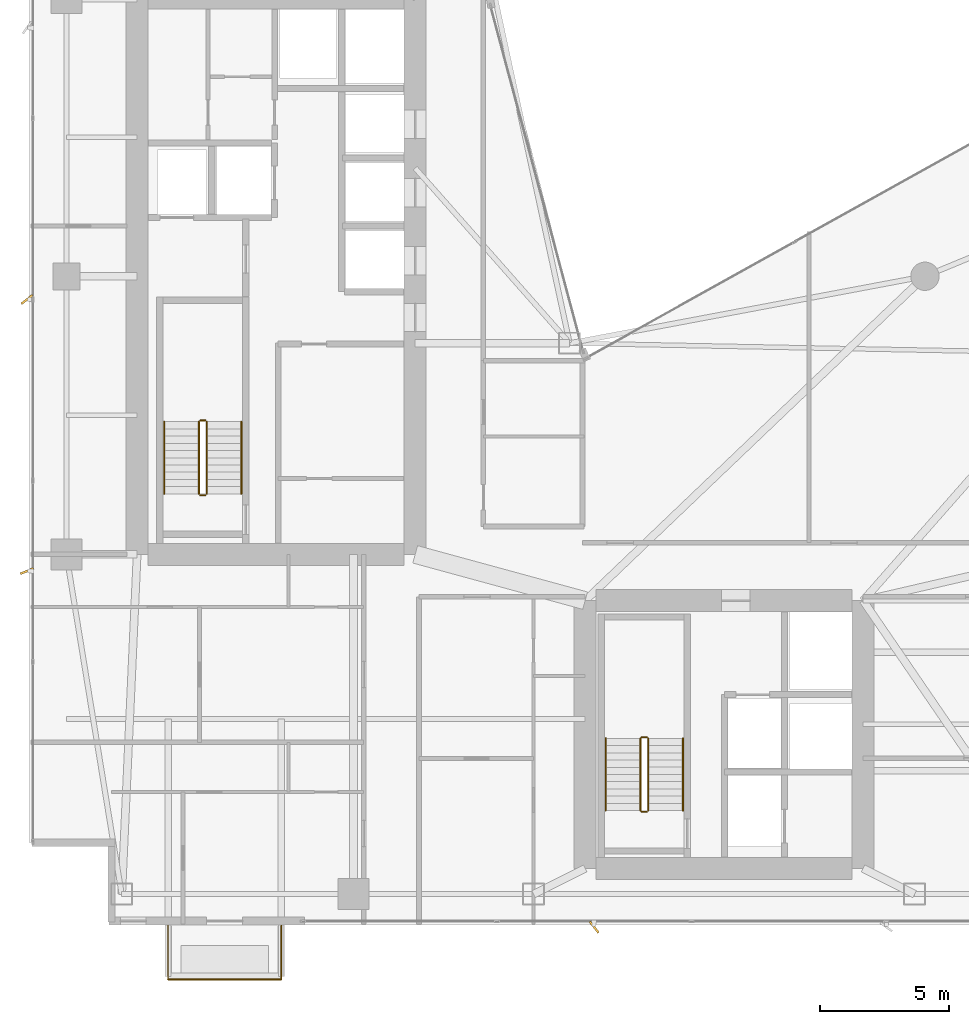
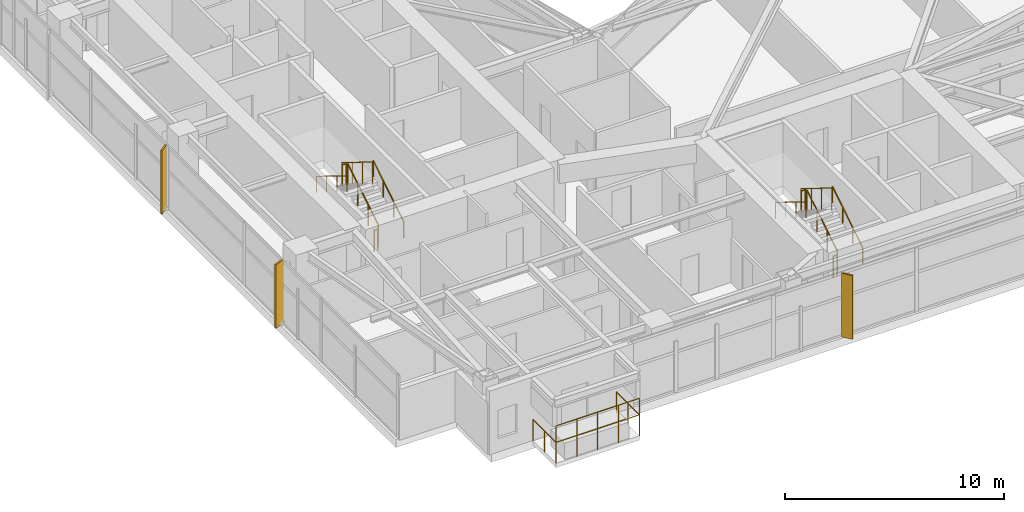
# One storey, part 27 of 28: 14 railings, 3 shading devices.
"""IFC4 building model written with IfcOpenShell, lengths in metres."""

from ifc_helpers import new_model, si_unit, direction, frame, origin, origin_2d, place, context, subcontext, project, spatial, rectangle, circle, extrude, material, type_object, element, save


model = new_model("IFC4")

# Units and contexts
model_context = context("Model", 3, precision=1e-05, world=origin(), true_north=direction((0.0, 1.0)))
body_context = subcontext(model_context, "Body", "Model", "MODEL_VIEW")
ifc_project = project(units=[si_unit("LENGTHUNIT", "METRE"), si_unit("AREAUNIT", "SQUARE_METRE"), si_unit("VOLUMEUNIT", "CUBIC_METRE"), si_unit("PLANEANGLEUNIT", "RADIAN"), si_unit("MASSUNIT", "GRAM", prefix="KILO")], contexts=[model_context])

# Site, building, storey
site_placement = place(None, origin())
site = spatial("IfcSite", under=ifc_project, at=site_placement, CompositionType="ELEMENT")
building_placement = place(site_placement, origin())
building = spatial("IfcBuilding", under=site, at=building_placement, Name="Calvorn Quay Hotel", CompositionType="ELEMENT")
storey_placement = place(building_placement, frame((0.0, 0.0, 97.39990234375)))
storey = spatial("IfcBuildingStorey", under=building, at=storey_placement, Name="L23", CompositionType="ELEMENT", Elevation=97.39990234375)

# Railings
ifc_material_1 = material(Name="Pale Anodised Aluminium and Laminated Glass", Category="aluminium")
railing_type_1 = type_object("IfcRailingType", Name="RLG-BALUSTRADE-1200", PredefinedType="BALUSTRADE", material=ifc_material_1)
railing_1_placement = place(storey_placement, frame((5.39990234375, 2.389892578125, 0.0)))
element("IfcRailing", 1, at=railing_1_placement, inside=storey, type_object=railing_type_1, Name="Tree Balcony Perimeter Balustrade L23-BALC-S", PredefinedType="BALUSTRADE", context=body_context, shape_type="SweptSolid", body=[
    extrude(circle(Radius=0.02392578125, at=origin_2d()), frame((0.0, 0.0, 1.17578125), z_axis=(0.0, -1.0, 0.0), x_axis=(1.0, 0.0, 0.0)), (0.0, 0.0, 1.0), 2.099853515625),
    extrude(circle(Radius=0.02392578125, at=origin_2d()), frame((0.0, -2.099853515625, 1.17578125), z_axis=(1.0, 0.0, 0.0), x_axis=(0.0, 1.0, 0.0)), (0.0, 0.0, 1.0), 4.400146484375),
    extrude(circle(Radius=0.02392578125, at=origin_2d()), frame((4.400146484375, -2.099853515625, 1.17578125), z_axis=(0.0, 1.0, 0.0), x_axis=(-1.0, 0.0, 0.0)), (0.0, 0.0, 1.0), 2.099853515625),
    extrude(circle(Radius=0.02099609375, at=origin_2d()), origin(), (0.0, 0.0, 1.0), 1.15185546875),
    extrude(circle(Radius=0.02099609375, at=origin_2d()), frame((0.0, -1.0498046875, 0.0)), (0.0, 0.0, 1.0), 1.15185546875),
    extrude(circle(Radius=0.02099609375, at=origin_2d()), frame((0.0, -2.099853515625, 0.0)), (0.0, 0.0, 1.0), 1.15185546875),
    extrude(circle(Radius=0.02099609375, at=origin_2d()), frame((1.10009765625, -2.099853515625, 0.0)), (0.0, 0.0, 1.0), 1.15185546875),
    extrude(circle(Radius=0.02099609375, at=origin_2d()), frame((2.2001953125, -2.099853515625, 0.0)), (0.0, 0.0, 1.0), 1.15185546875),
    extrude(circle(Radius=0.02099609375, at=origin_2d()), frame((3.300048828125, -2.099853515625, 0.0)), (0.0, 0.0, 1.0), 1.15185546875),
    extrude(circle(Radius=0.02099609375, at=origin_2d()), frame((4.400146484375, -2.099853515625, 0.0)), (0.0, 0.0, 1.0), 1.15185546875),
    extrude(circle(Radius=0.02099609375, at=origin_2d()), frame((4.400146484375, -1.0498046875, 0.0)), (0.0, 0.0, 1.0), 1.15185546875),
    extrude(circle(Radius=0.02099609375, at=origin_2d()), frame((4.400146484375, 0.0, 0.0)), (0.0, 0.0, 1.0), 1.15185546875),
])
railing_2_placement = place(storey_placement, frame((5.39990234375, 0.2900390625, 0.900146484375)))
element("IfcRailing", 2, at=railing_2_placement, inside=storey, type_object=railing_type_1, Name="Planter Kerb High Safety Screen L23-BALC-S", PredefinedType="BALUSTRADE", context=body_context, shape_type="SweptSolid", body=[
    extrude(circle(Radius=0.02392578125, at=origin_2d()), frame((0.0, 0.0, 1.19580078125), z_axis=(1.0, 0.0, 0.0), x_axis=(0.0, 1.0, 0.0)), (0.0, 0.0, 1.0), 4.400146484375),
    extrude(circle(Radius=0.02099609375, at=origin_2d()), origin(), (0.0, 0.0, 1.0), 1.171875),
    extrude(circle(Radius=0.02099609375, at=origin_2d()), frame((1.10009765625, 0.0, 0.0)), (0.0, 0.0, 1.0), 1.171875),
    extrude(circle(Radius=0.02099609375, at=origin_2d()), frame((2.2001953125, 0.0, 0.0)), (0.0, 0.0, 1.0), 1.171875),
    extrude(circle(Radius=0.02099609375, at=origin_2d()), frame((3.300048828125, 0.0, 0.0)), (0.0, 0.0, 1.0), 1.171875),
    extrude(circle(Radius=0.02099609375, at=origin_2d()), frame((4.400146484375, 0.0, 0.0)), (0.0, 0.0, 1.0), 1.171875),
])
ifc_material_2 = material(Name="Brushed Stainless Steel Handrail", Category="steel")
railing_type_2 = type_object("IfcRailingType", Name="RLG-HANDRAIL-900", PredefinedType="HANDRAIL", material=ifc_material_2)
railing_3_placement = place(storey_placement, frame((8.25, 19.14990234375, 0.1728515625)))
element("IfcRailing", 3, at=railing_3_placement, inside=storey, type_object=railing_type_2, Name="L23 ST-W stair handrail 1", PredefinedType="HANDRAIL", context=body_context, shape_type="SweptSolid", body=[
    extrude(circle(Radius=0.02392578125, at=origin_2d()), frame((0.0, 0.0, 0.8759765625), z_axis=(0.0, 0.851089632645, 0.525020415988), x_axis=(-1.0, 0.0, 0.0)), (0.0, 0.0, 1.0), 3.2900390625),
    extrude(circle(Radius=0.02099609375, at=origin_2d()), origin(), (0.0, 0.0, 1.0), 0.851806640625),
    extrude(circle(Radius=0.02099609375, at=origin_2d()), frame((0.0, 0.933349609375, 0.57568359375)), (0.0, 0.0, 1.0), 0.851806640625),
    extrude(circle(Radius=0.02099609375, at=origin_2d()), frame((0.0, 1.86669921875, 1.151611328125)), (0.0, 0.0, 1.0), 0.851806640625),
    extrude(circle(Radius=0.02099609375, at=origin_2d()), frame((0.0, 2.800048828125, 1.727294921875)), (0.0, 0.0, 1.0), 0.851806640625),
])
railing_4_placement = place(storey_placement, frame((5.25, 21.949951171875, 2.07275390625)))
element("IfcRailing", 4, at=railing_4_placement, inside=storey, type_object=railing_type_2, Name="L23 ST-W stair handrail 2", PredefinedType="HANDRAIL", context=body_context, shape_type="SweptSolid", body=[
    extrude(circle(Radius=0.02392578125, at=origin_2d()), frame((0.0, 0.0, 0.8759765625), z_axis=(0.0, -0.851089632645, 0.525020415988), x_axis=(1.0, 0.0, 0.0)), (0.0, 0.0, 1.0), 3.2900390625),
    extrude(circle(Radius=0.02099609375, at=origin_2d()), origin(), (0.0, 0.0, 1.0), 0.851806640625),
    extrude(circle(Radius=0.02099609375, at=origin_2d()), frame((0.0, -0.933349609375, 0.57568359375)), (0.0, 0.0, 1.0), 0.851806640625),
    extrude(circle(Radius=0.02099609375, at=origin_2d()), frame((0.0, -1.86669921875, 1.151611328125)), (0.0, 0.0, 1.0), 0.851806640625),
    extrude(circle(Radius=0.02099609375, at=origin_2d()), frame((0.0, -2.800048828125, 1.727294921875)), (0.0, 0.0, 1.0), 0.851806640625),
])
railing_5_placement = place(storey_placement, frame((25.39990234375, 6.85009765625, 0.1728515625)))
element("IfcRailing", 5, at=railing_5_placement, inside=storey, type_object=railing_type_2, Name="L23 ST-E stair handrail 1", PredefinedType="HANDRAIL", context=body_context, shape_type="SweptSolid", body=[
    extrude(circle(Radius=0.02392578125, at=origin_2d()), frame((0.0, 0.0, 0.8759765625), z_axis=(0.0, 0.851069175582, 0.525053576669), x_axis=(-1.0, 0.0, 0.0)), (0.0, 0.0, 1.0), 3.289794921875),
    extrude(circle(Radius=0.02099609375, at=origin_2d()), origin(), (0.0, 0.0, 1.0), 0.851806640625),
    extrude(circle(Radius=0.02099609375, at=origin_2d()), frame((0.0, 0.933349609375, 0.57568359375)), (0.0, 0.0, 1.0), 0.851806640625),
    extrude(circle(Radius=0.02099609375, at=origin_2d()), frame((0.0, 1.866455078125, 1.151611328125)), (0.0, 0.0, 1.0), 0.851806640625),
    extrude(circle(Radius=0.02099609375, at=origin_2d()), frame((0.0, 2.7998046875, 1.727294921875)), (0.0, 0.0, 1.0), 0.851806640625),
])
railing_6_placement = place(storey_placement, frame((22.39990234375, 9.64990234375, 2.07275390625)))
element("IfcRailing", 6, at=railing_6_placement, inside=storey, type_object=railing_type_2, Name="L23 ST-E stair handrail 2", PredefinedType="HANDRAIL", context=body_context, shape_type="SweptSolid", body=[
    extrude(circle(Radius=0.02392578125, at=origin_2d()), frame((0.0, 0.0, 0.8759765625), z_axis=(0.0, -0.851069175582, 0.525053576669), x_axis=(1.0, 0.0, 0.0)), (0.0, 0.0, 1.0), 3.289794921875),
    extrude(circle(Radius=0.02099609375, at=origin_2d()), origin(), (0.0, 0.0, 1.0), 0.851806640625),
    extrude(circle(Radius=0.02099609375, at=origin_2d()), frame((0.0, -0.933349609375, 0.57568359375)), (0.0, 0.0, 1.0), 0.851806640625),
    extrude(circle(Radius=0.02099609375, at=origin_2d()), frame((0.0, -1.866455078125, 1.151611328125)), (0.0, 0.0, 1.0), 0.851806640625),
    extrude(circle(Radius=0.02099609375, at=origin_2d()), frame((0.0, -2.7998046875, 1.727294921875)), (0.0, 0.0, 1.0), 0.851806640625),
])
ifc_material_3 = material(Name="Painted Galvanised Steel Balustrade", Category="steel")
railing_type_3 = type_object("IfcRailingType", Name="RLG-STAIR-GUARD-1120", PredefinedType="GUARDRAIL", material=ifc_material_3)
railing_7_placement = place(storey_placement, frame((6.89990234375, 19.14990234375, 0.1728515625)))
element("IfcRailing", 7, at=railing_7_placement, inside=storey, type_object=railing_type_3, Name="L23 ST-W stair guard 1", PredefinedType="GUARDRAIL", context=body_context, shape_type="SweptSolid", body=[
    extrude(circle(Radius=0.02392578125, at=origin_2d()), frame((0.0, 0.0, 1.17578125), z_axis=(0.0, 0.851089632645, 0.525020415988), x_axis=(-1.0, 0.0, 0.0)), (0.0, 0.0, 1.0), 3.2900390625),
    extrude(circle(Radius=0.02099609375, at=origin_2d()), origin(), (0.0, 0.0, 1.0), 1.15185546875),
    extrude(circle(Radius=0.02099609375, at=origin_2d()), frame((0.0, 0.933349609375, 0.57568359375)), (0.0, 0.0, 1.0), 1.15185546875),
    extrude(circle(Radius=0.02099609375, at=origin_2d()), frame((0.0, 1.86669921875, 1.151611328125)), (0.0, 0.0, 1.0), 1.15185546875),
    extrude(circle(Radius=0.02099609375, at=origin_2d()), frame((0.0, 2.800048828125, 1.727294921875)), (0.0, 0.0, 1.0), 1.15185546875),
])
railing_8_placement = place(storey_placement, frame((6.85009765625, 22.0, 1.900146484375)))
element("IfcRailing", 8, at=railing_8_placement, inside=storey, type_object=railing_type_3, Name="L23 ST-W stair guard 2", PredefinedType="GUARDRAIL", context=body_context, shape_type="SweptSolid", body=[
    extrude(circle(Radius=0.02392578125, at=origin_2d()), frame((0.0, 0.0, 1.17578125), z_axis=(-1.0, 0.0, 0.0), x_axis=(0.0, -1.0, 0.0)), (0.0, 0.0, 1.0), 0.2001953125),
    extrude(circle(Radius=0.02099609375, at=origin_2d()), origin(), (0.0, 0.0, 1.0), 1.15185546875),
    extrude(circle(Radius=0.02099609375, at=origin_2d()), frame((-0.2001953125, 0.0, 0.0)), (0.0, 0.0, 1.0), 1.15185546875),
])
railing_9_placement = place(storey_placement, frame((6.60009765625, 21.949951171875, 2.07275390625)))
element("IfcRailing", 9, at=railing_9_placement, inside=storey, type_object=railing_type_3, Name="L23 ST-W stair guard 3", PredefinedType="GUARDRAIL", context=body_context, shape_type="SweptSolid", body=[
    extrude(circle(Radius=0.02392578125, at=origin_2d()), frame((0.0, 0.0, 1.17578125), z_axis=(0.0, -0.851089632645, 0.525020415988), x_axis=(1.0, 0.0, 0.0)), (0.0, 0.0, 1.0), 3.2900390625),
    extrude(circle(Radius=0.02099609375, at=origin_2d()), origin(), (0.0, 0.0, 1.0), 1.15185546875),
    extrude(circle(Radius=0.02099609375, at=origin_2d()), frame((0.0, -0.933349609375, 0.57568359375)), (0.0, 0.0, 1.0), 1.15185546875),
    extrude(circle(Radius=0.02099609375, at=origin_2d()), frame((0.0, -1.86669921875, 1.151611328125)), (0.0, 0.0, 1.0), 1.15185546875),
    extrude(circle(Radius=0.02099609375, at=origin_2d()), frame((0.0, -2.800048828125, 1.727294921875)), (0.0, 0.0, 1.0), 1.15185546875),
])
railing_10_placement = place(storey_placement, frame((6.85009765625, 19.10009765625, 0.0)))
element("IfcRailing", 10, at=railing_10_placement, inside=storey, type_object=railing_type_3, Name="L23 ST-W stair guard 4", PredefinedType="GUARDRAIL", context=body_context, shape_type="SweptSolid", body=[
    extrude(circle(Radius=0.02392578125, at=origin_2d()), frame((0.0, 0.0, 1.17578125), z_axis=(-1.0, 0.0, 0.0), x_axis=(0.0, -1.0, 0.0)), (0.0, 0.0, 1.0), 0.2001953125),
    extrude(circle(Radius=0.02099609375, at=origin_2d()), origin(), (0.0, 0.0, 1.0), 1.15185546875),
    extrude(circle(Radius=0.02099609375, at=origin_2d()), frame((-0.2001953125, 0.0, 0.0)), (0.0, 0.0, 1.0), 1.15185546875),
])
railing_11_placement = place(storey_placement, frame((24.050048828125, 6.85009765625, 0.1728515625)))
element("IfcRailing", 11, at=railing_11_placement, inside=storey, type_object=railing_type_3, Name="L23 ST-E stair guard 1", PredefinedType="GUARDRAIL", context=body_context, shape_type="SweptSolid", body=[
    extrude(circle(Radius=0.02392578125, at=origin_2d()), frame((0.0, 0.0, 1.17578125), z_axis=(0.0, 0.851069175582, 0.525053576669), x_axis=(-1.0, 0.0, 0.0)), (0.0, 0.0, 1.0), 3.289794921875),
    extrude(circle(Radius=0.02099609375, at=origin_2d()), origin(), (0.0, 0.0, 1.0), 1.15185546875),
    extrude(circle(Radius=0.02099609375, at=origin_2d()), frame((0.0, 0.933349609375, 0.57568359375)), (0.0, 0.0, 1.0), 1.15185546875),
    extrude(circle(Radius=0.02099609375, at=origin_2d()), frame((0.0, 1.866455078125, 1.151611328125)), (0.0, 0.0, 1.0), 1.15185546875),
    extrude(circle(Radius=0.02099609375, at=origin_2d()), frame((0.0, 2.7998046875, 1.727294921875)), (0.0, 0.0, 1.0), 1.15185546875),
])
railing_12_placement = place(storey_placement, frame((24.0, 9.699951171875, 1.900146484375)))
element("IfcRailing", 12, at=railing_12_placement, inside=storey, type_object=railing_type_3, Name="L23 ST-E stair guard 2", PredefinedType="GUARDRAIL", context=body_context, shape_type="SweptSolid", body=[
    extrude(circle(Radius=0.02392578125, at=origin_2d()), frame((0.0, 0.0, 1.17578125), z_axis=(-1.0, 0.0, 0.0), x_axis=(0.0, -1.0, 0.0)), (0.0, 0.0, 1.0), 0.199951171875),
    extrude(circle(Radius=0.02099609375, at=origin_2d()), origin(), (0.0, 0.0, 1.0), 1.15185546875),
    extrude(circle(Radius=0.02099609375, at=origin_2d()), frame((-0.199951171875, 0.0, 0.0)), (0.0, 0.0, 1.0), 1.15185546875),
])
railing_13_placement = place(storey_placement, frame((23.75, 9.64990234375, 2.07275390625)))
element("IfcRailing", 13, at=railing_13_placement, inside=storey, type_object=railing_type_3, Name="L23 ST-E stair guard 3", PredefinedType="GUARDRAIL", context=body_context, shape_type="SweptSolid", body=[
    extrude(circle(Radius=0.02392578125, at=origin_2d()), frame((0.0, 0.0, 1.17578125), z_axis=(0.0, -0.851069175582, 0.525053576669), x_axis=(1.0, 0.0, 0.0)), (0.0, 0.0, 1.0), 3.289794921875),
    extrude(circle(Radius=0.02099609375, at=origin_2d()), origin(), (0.0, 0.0, 1.0), 1.15185546875),
    extrude(circle(Radius=0.02099609375, at=origin_2d()), frame((0.0, -0.933349609375, 0.57568359375)), (0.0, 0.0, 1.0), 1.15185546875),
    extrude(circle(Radius=0.02099609375, at=origin_2d()), frame((0.0, -1.866455078125, 1.151611328125)), (0.0, 0.0, 1.0), 1.15185546875),
    extrude(circle(Radius=0.02099609375, at=origin_2d()), frame((0.0, -2.7998046875, 1.727294921875)), (0.0, 0.0, 1.0), 1.15185546875),
])
railing_14_placement = place(storey_placement, frame((24.0, 6.800048828125, 0.0)))
element("IfcRailing", 14, at=railing_14_placement, inside=storey, type_object=railing_type_3, Name="L23 ST-E stair guard 4", PredefinedType="GUARDRAIL", context=body_context, shape_type="SweptSolid", body=[
    extrude(circle(Radius=0.02392578125, at=origin_2d()), frame((0.0, 0.0, 1.17578125), z_axis=(-1.0, 0.0, 0.0), x_axis=(0.0, -1.0, 0.0)), (0.0, 0.0, 1.0), 0.199951171875),
    extrude(circle(Radius=0.02099609375, at=origin_2d()), origin(), (0.0, 0.0, 1.0), 1.15185546875),
    extrude(circle(Radius=0.02099609375, at=origin_2d()), frame((-0.199951171875, 0.0, 0.0)), (0.0, 0.0, 1.0), 1.15185546875),
])

# Shading devices
ifc_material_4 = material(Name="Champagne Bronze Anodised Aluminium 6063-T6", Category="aluminium")
shading_device_type_1 = type_object("IfcShadingDeviceType", Name="SHD-FIN-A1", PredefinedType="USERDEFINED", material=ifc_material_4)
shading_device_placement = place(storey_placement, frame((-0.080078125, 16.14990234375, 0.0), z_axis=(0.0, 0.0, 1.0), x_axis=(0.927183854567, 0.374606593416, 0.0)))
element("IfcShadingDevice", 15, at=shading_device_placement, inside=storey, type_object=shading_device_type_1, Name="Diagonal Sun-Shading Fin L23-W01", ObjectType="FIN", PredefinedType="USERDEFINED", context=body_context, shape_type="SweptSolid", body=[
    extrude(rectangle(XDim=0.550048828125, YDim=0.080078125, at=origin_2d()), origin(), (0.0, 0.0, 1.0), 3.56005859375),
])
ifc_material_5 = material(Name="Champagne Bronze Anodised Aluminium 6063-T6", Category="aluminium")
shading_device_type_2 = type_object("IfcShadingDeviceType", Name="SHD-FIN-A2", PredefinedType="USERDEFINED", material=ifc_material_5)
for number, where, z_axis, x_axis, name in (
    (16, (-0.080078125, 26.699951171875, 0.0), (0.0, 0.0, 1.0), (0.788010753607, 0.615661475326, 0.0), "Diagonal Sun-Shading Fin L23-W02"),
    (17, (21.949951171875, 2.320068359375, 0.0), (0.0, 0.0, 1.0), (-0.615661475326, 0.788010753607, 0.0), "Diagonal Sun-Shading Fin L23-S01"),
):
    element("IfcShadingDevice", number, at=place(storey_placement, frame(where, z_axis=z_axis, x_axis=x_axis)), inside=storey, type_object=shading_device_type_2, Name=name, ObjectType="FIN", PredefinedType="USERDEFINED", context=body_context, shape_type="SweptSolid", body=[
        extrude(rectangle(XDim=0.550048828125, YDim=0.080078125, at=origin_2d()), origin(), (0.0, 0.0, 1.0), 3.56005859375),
    ])

save(model, "model.ifc")
